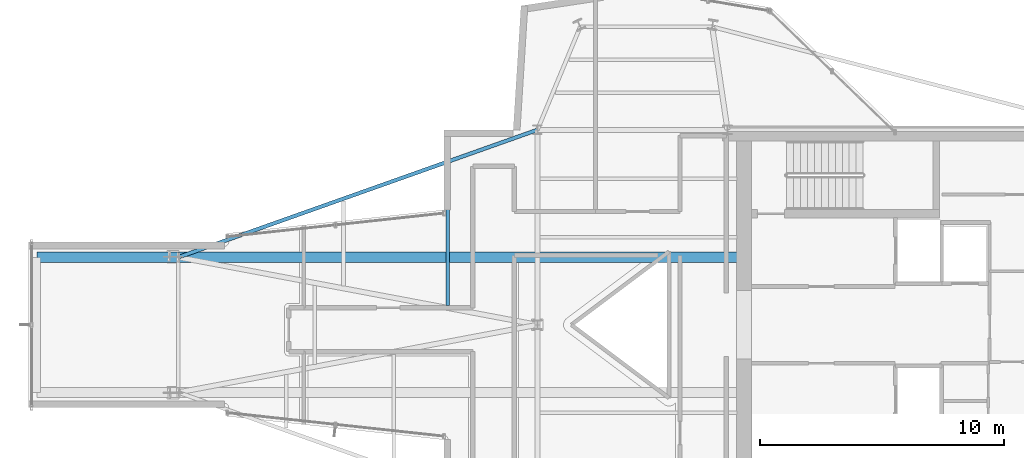
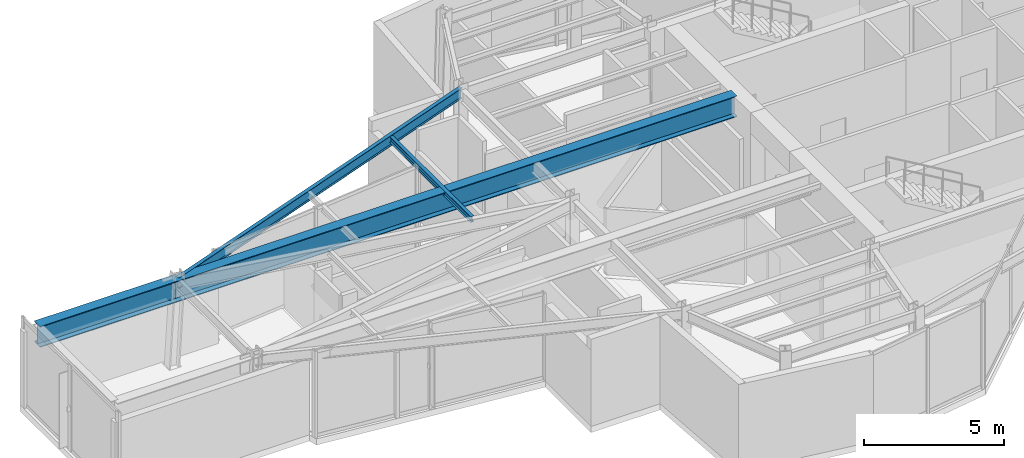
# One storey, part 6 of 18: 3 beams.
"""IFC4 building model written with IfcOpenShell, lengths in metres."""

from ifc_helpers import new_model, si_unit, direction, frame, origin, origin_2d, place, context, subcontext, project, spatial, i_section, extrude, material, material_profile, profile_set, type_object, element, save


model = new_model("IFC4")

# Units and contexts
model_context = context("Model", 3, precision=1e-05, world=origin(), true_north=direction((0.0, 1.0)))
body_context = subcontext(model_context, "Body", "Model", "MODEL_VIEW")
ifc_project = project(units=[si_unit("LENGTHUNIT", "METRE"), si_unit("AREAUNIT", "SQUARE_METRE"), si_unit("VOLUMEUNIT", "CUBIC_METRE"), si_unit("PLANEANGLEUNIT", "RADIAN"), si_unit("MASSUNIT", "GRAM", prefix="KILO")], contexts=[model_context])

# Site, building, storey
site_placement = place(None, origin())
site = spatial("IfcSite", under=ifc_project, at=site_placement, CompositionType="ELEMENT")
building_placement = place(site_placement, origin())
building = spatial("IfcBuilding", under=site, at=building_placement, Name="Veymaron Broadcast Tower", CompositionType="ELEMENT")
storey_placement = place(building_placement, frame((0.0, 0.0, 319.5)))
storey = spatial("IfcBuildingStorey", under=building, at=storey_placement, Name="L75", CompositionType="ELEMENT", Elevation=319.5)

# Beams
ifc_material = material(Name="Structural steel ASTM A992 Gr 50", Category="steel")
ifc_material_profile_1 = material_profile(ifc_material, i_section(OverallWidth=0.41796875, OverallDepth=0.912109375, WebThickness=0.019287109375, FlangeThickness=0.031982421875, at=origin_2d()), Name="W920X342")
ifc_profile_set_1 = profile_set([ifc_material_profile_1], Name="Structural steel ASTM A992 Gr 50")
beam_type_1 = type_object("IfcBeamType", Name="BM-CL1", PredefinedType="BEAM", material=ifc_profile_set_1)
beam_1_placement = place(storey_placement, frame((39.5, 26.77197265625, 3.35400390625), z_axis=(-1.0, 0.0, 0.0), x_axis=(0.0, -1.0, 0.0)))
element("IfcBeam", 1, at=beam_1_placement, inside=storey, type_object=beam_type_1, Name="L75 Sky-Lounge Cantilever Backspan Girder N", PredefinedType="BEAM", context=body_context, shape_type="SweptSolid", body=[
    extrude(i_section(OverallWidth=0.41796875, OverallDepth=0.912109375, WebThickness=0.019287109375, FlangeThickness=0.031982421875, at=origin_2d()), origin(), (0.0, 0.0, 1.0), 28.84130859375),
])
ifc_material_profile_2 = material_profile(ifc_material, i_section(OverallWidth=0.14599609375, OverallDepth=0.258056640625, WebThickness=0.006103515625, FlangeThickness=0.009033203125, at=origin_2d()), Name="W250X33")
ifc_profile_set_2 = profile_set([ifc_material_profile_2], Name="Structural steel ASTM A992 Gr 50")
beam_type_2 = type_object("IfcBeamType", Name="BM-JS4", PredefinedType="JOIST", material=ifc_profile_set_2)
beam_2_placement = place(storey_placement, frame((27.5166015625, 24.79296875, 3.680908203125), z_axis=(0.0, 1.0, 0.0), x_axis=(-1.0, 0.0, 0.0)))
element("IfcBeam", 2, at=beam_2_placement, inside=storey, type_object=beam_type_2, Name="L75 Arm-A secondary joist 2N", PredefinedType="JOIST", context=body_context, shape_type="SweptSolid", body=[
    extrude(i_section(OverallWidth=0.14599609375, OverallDepth=0.258056640625, WebThickness=0.006103515625, FlangeThickness=0.009033203125, at=origin_2d()), origin(), (0.0, 0.0, 1.0), 5.800048828125),
])
ifc_material_profile_3 = material_profile(ifc_material, i_section(OverallWidth=0.154052734375, OverallDepth=0.458984375, WebThickness=0.009033203125, FlangeThickness=0.015380859375, at=origin_2d()), Name="W460X68")
ifc_profile_set_3 = profile_set([ifc_material_profile_3], Name="Structural steel ASTM A992 Gr 50")
beam_type_3 = type_object("IfcBeamType", Name="BM-SP2", PredefinedType="SPANDREL", material=ifc_profile_set_3)
beam_3_placement = place(storey_placement, frame((16.46630859375, 26.77197265625, 3.58056640625), z_axis=(0.942428539283, 0.334407608083, 0.0), x_axis=(-0.334407608083, 0.942428539283, 0.0)))
element("IfcBeam", 3, at=beam_3_placement, inside=storey, type_object=beam_type_3, Name="L75 primary structural floor girder", PredefinedType="SPANDREL", context=body_context, shape_type="SweptSolid", body=[
    extrude(i_section(OverallWidth=0.154052734375, OverallDepth=0.458984375, WebThickness=0.009033203125, FlangeThickness=0.015380859375, at=origin_2d()), origin(), (0.0, 0.0, 1.0), 15.6337890625),
])

save(model, "model.ifc")
